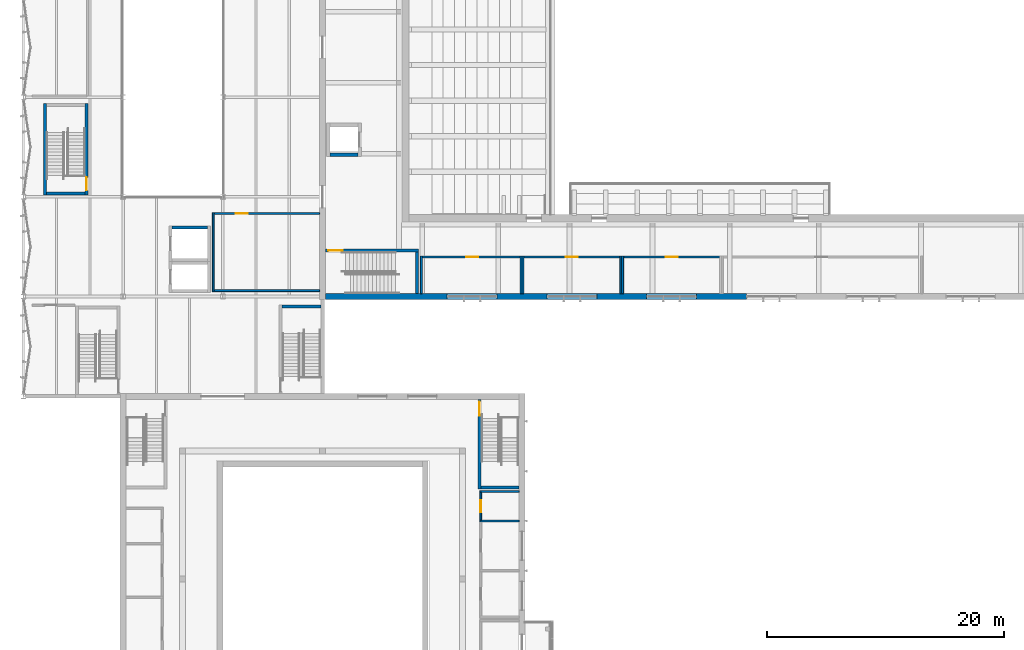
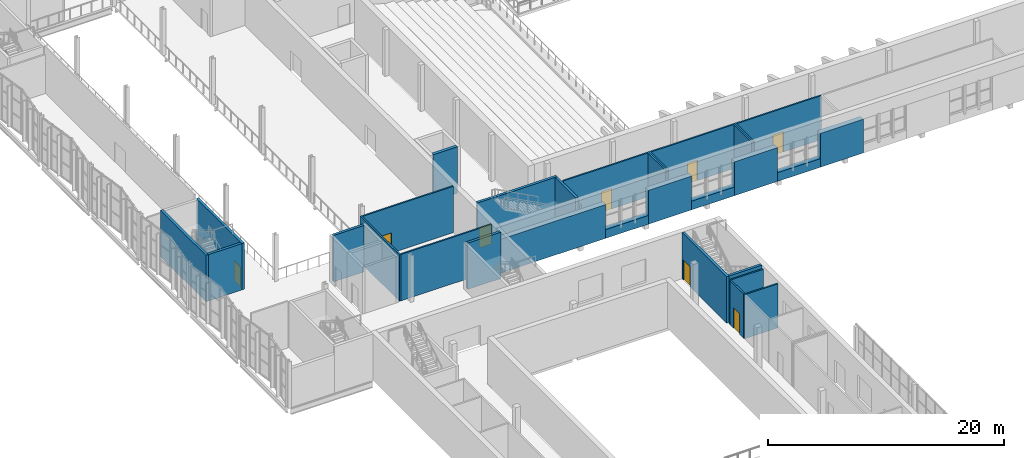
# One storey, part 72 of 127: 31 walls, 8 doors, 8 openings.
"""IFC4 building model written with IfcOpenShell, lengths in metres."""

from ifc_helpers import new_model, si_unit, direction, frame, frame_2d, origin, place, context, subcontext, project, spatial, rectangle, extrude, material, layer, layer_set, type_object, element, fill, save


model = new_model("IFC4")

# Units and contexts
model_context = context("Model", 3, precision=1e-05, world=origin(), true_north=direction((0.0, 1.0)))
body_context = subcontext(model_context, "Body", "Model", "MODEL_VIEW")
ifc_project = project(units=[si_unit("LENGTHUNIT", "METRE"), si_unit("AREAUNIT", "SQUARE_METRE"), si_unit("VOLUMEUNIT", "CUBIC_METRE"), si_unit("PLANEANGLEUNIT", "RADIAN"), si_unit("MASSUNIT", "GRAM", prefix="KILO")], contexts=[model_context])

# Site, building, storey
site_placement = place(None, origin())
site = spatial("IfcSite", under=ifc_project, at=site_placement, CompositionType="ELEMENT")
building_placement = place(site_placement, origin())
building = spatial("IfcBuilding", under=site, at=building_placement, Name="Ljudholm Concert House", CompositionType="ELEMENT")
storey_placement = place(building_placement, frame((0.0, 0.0, 5.39990234375)))
storey = spatial("IfcBuildingStorey", under=building, at=storey_placement, Name="L01", CompositionType="ELEMENT", Elevation=5.39990234375)

# Wall, opening, door
ifc_material_1 = material(Name="Gypsum board on steel studs", Category="steel")
ifc_layer_1 = layer(ifc_material_1, 0.14990234375)
ifc_layer_set_1 = layer_set([ifc_layer_1], Name="Gypsum board on steel studs")
wall_type_1 = type_object("IfcWallType", Name="GYPSUM PARTITION 150", PredefinedType="PARTITIONING", material=ifc_layer_set_1)
wall_1_placement = place(storey_placement, frame((37.60009765625, 57.72509765625, 0.0), z_axis=(0.0, 0.0, 1.0), x_axis=(1.0, 0.0, 0.0)))
wall_1 = element("IfcWall", 1, at=wall_1_placement, inside=storey, type_object=wall_type_1, Name="Women's WC partition", PredefinedType="PARTITIONING", context=body_context, shape_type="SweptSolid", body=[
    extrude(rectangle(XDim=8.39990234375, YDim=0.14990234375, at=frame_2d((4.199951171875, 0.0))), origin(), (0.0, 0.0, 1.0), 4.550048828125),
])
opening_1_placement = place(wall_1_placement, frame((3.699951171875, 0.0, 0.0)))
opening_1 = element("IfcOpeningElement", 2, at=opening_1_placement, cuts=wall_1, Name="Opening D-H01-003", PredefinedType="OPENING", context=body_context, shape_type="SweptSolid", body=[
    extrude(rectangle(XDim=1.0, YDim=2.10009765625, at=frame_2d((0.5, 1.050048828125))), frame((0.0, 0.0849609375, 0.0), z_axis=(0.0, -1.0, 0.0), x_axis=(1.0, 0.0, 0.0)), (0.0, 0.0, 1.0), 0.169921875),
])
ifc_material_2 = material(Name="Hollow metal door in steel frame", Category="steel")
door_type_1 = type_object("IfcDoorType", Name="SWING DOOR 1000x2100", OperationType="SINGLE_SWING_LEFT", PredefinedType="DOOR", material=ifc_material_2)
door_1_placement = place(opening_1_placement, frame((1.0, 0.0, 0.0), z_axis=(0.0, 0.0, 1.0), x_axis=(-1.0, 0.0, 0.0)))
door_1 = element("IfcDoor", 3, at=door_1_placement, inside=storey, type_object=door_type_1, Name="Women's WC door", OperationType="SINGLE_SWING_LEFT", OverallHeight=2.10009765625, OverallWidth=1.0, PredefinedType="DOOR", context=body_context, shape_type="SweptSolid", body=[
    extrude(rectangle(XDim=1.0, YDim=2.10009765625, at=frame_2d((0.5, 1.050048828125))), frame((0.0, 0.02490234375, 0.0), z_axis=(0.0, -1.0, 0.0), x_axis=(1.0, 0.0, 0.0)), (0.0, 0.0, 1.0), 0.050048828125),
])
fill(opening_1, door_1)

# Walls
wall_2_placement = place(storey_placement, frame((37.52490234375, 54.64990234375, 0.0), z_axis=(0.0, 0.0, 1.0), x_axis=(0.0, 1.0, 0.0)))
element("IfcWall", 4, at=wall_2_placement, inside=storey, type_object=wall_type_1, Name="Women's WC partition", PredefinedType="PARTITIONING", context=body_context, shape_type="SweptSolid", body=[
    extrude(rectangle(XDim=3.150146484375, YDim=0.14990234375, at=frame_2d((1.5751953125, 0.0))), origin(), (0.0, 0.0, 1.0), 3.9501953125),
])
wall_3_placement = place(storey_placement, frame((46.074951171875, 54.64990234375, 0.0), z_axis=(0.0, 0.0, 1.0), x_axis=(0.0, 1.0, 0.0)))
element("IfcWall", 5, at=wall_3_placement, inside=storey, type_object=wall_type_1, Name="Women's WC partition", PredefinedType="PARTITIONING", context=body_context, shape_type="SweptSolid", body=[
    extrude(rectangle(XDim=3.150146484375, YDim=0.14990234375, at=frame_2d((1.5751953125, 0.0))), origin(), (0.0, 0.0, 1.0), 4.550048828125),
])

# Wall, opening, door
wall_4_placement = place(storey_placement, frame((46.0, 57.72509765625, 0.0), z_axis=(0.0, 0.0, 1.0), x_axis=(1.0, 0.0, 0.0)))
wall_4 = element("IfcWall", 6, at=wall_4_placement, inside=storey, type_object=wall_type_1, Name="Men's WC partition", PredefinedType="PARTITIONING", context=body_context, shape_type="SweptSolid", body=[
    extrude(rectangle(XDim=8.39990234375, YDim=0.14990234375, at=frame_2d((4.199951171875, 0.0))), origin(), (0.0, 0.0, 1.0), 4.550048828125),
])
opening_2_placement = place(wall_4_placement, frame((3.699951171875, 0.0, 0.0)))
opening_2 = element("IfcOpeningElement", 7, at=opening_2_placement, cuts=wall_4, Name="Opening D-H01-004", PredefinedType="OPENING", context=body_context, shape_type="SweptSolid", body=[
    extrude(rectangle(XDim=1.0, YDim=2.10009765625, at=frame_2d((0.5, 1.050048828125))), frame((0.0, 0.0849609375, 0.0), z_axis=(0.0, -1.0, 0.0), x_axis=(1.0, 0.0, 0.0)), (0.0, 0.0, 1.0), 0.169921875),
])
door_2_placement = place(opening_2_placement, frame((1.0, 0.0, 0.0), z_axis=(0.0, 0.0, 1.0), x_axis=(-1.0, 0.0, 0.0)))
door_2 = element("IfcDoor", 8, at=door_2_placement, inside=storey, type_object=door_type_1, Name="Men's WC door", OperationType="SINGLE_SWING_RIGHT", OverallHeight=2.10009765625, OverallWidth=1.0, PredefinedType="DOOR", context=body_context, shape_type="SweptSolid", body=[
    extrude(rectangle(XDim=1.0, YDim=2.10009765625, at=frame_2d((0.5, 1.050048828125))), frame((0.0, 0.02490234375, 0.0), z_axis=(0.0, -1.0, 0.0), x_axis=(1.0, 0.0, 0.0)), (0.0, 0.0, 1.0), 0.050048828125),
])
fill(opening_2, door_2)

# Walls
for number, where, z_axis, x_axis, name in (
    (9, (45.925048828125, 54.64990234375, 0.0), (0.0, 0.0, 1.0), (0.0, 1.0, 0.0), "Men's WC partition"),
    (10, (54.47509765625, 54.64990234375, 0.0), (0.0, 0.0, 1.0), (0.0, 1.0, 0.0), "Men's WC partition"),
):
    element("IfcWall", number, at=place(storey_placement, frame(where, z_axis=z_axis, x_axis=x_axis)), inside=storey, type_object=wall_type_1, Name=name, PredefinedType="PARTITIONING", context=body_context, shape_type="SweptSolid", body=[
        extrude(rectangle(XDim=3.150146484375, YDim=0.14990234375, at=frame_2d((1.5751953125, 0.0))), origin(), (0.0, 0.0, 1.0), 4.550048828125),
    ])

# Wall, opening, door
wall_5_placement = place(storey_placement, frame((54.39990234375, 57.72509765625, 0.0), z_axis=(0.0, 0.0, 1.0), x_axis=(1.0, 0.0, 0.0)))
wall_5 = element("IfcWall", 11, at=wall_5_placement, inside=storey, type_object=wall_type_1, Name="Accessible WC partition", PredefinedType="PARTITIONING", context=body_context, shape_type="SweptSolid", body=[
    extrude(rectangle(XDim=8.400146484375, YDim=0.14990234375, at=frame_2d((4.2001953125, 0.0))), origin(), (0.0, 0.0, 1.0), 4.550048828125),
])
opening_3_placement = place(wall_5_placement, frame((3.699951171875, 0.0, 0.0)))
opening_3 = element("IfcOpeningElement", 12, at=opening_3_placement, cuts=wall_5, Name="Opening D-H01-005", PredefinedType="OPENING", context=body_context, shape_type="SweptSolid", body=[
    extrude(rectangle(XDim=1.0, YDim=2.10009765625, at=frame_2d((0.5, 1.050048828125))), frame((0.0, 0.0849609375, 0.0), z_axis=(0.0, -1.0, 0.0), x_axis=(1.0, 0.0, 0.0)), (0.0, 0.0, 1.0), 0.169921875),
])
door_3_placement = place(opening_3_placement, frame((1.0, 0.0, 0.0), z_axis=(0.0, 0.0, 1.0), x_axis=(-1.0, 0.0, 0.0)))
door_3 = element("IfcDoor", 13, at=door_3_placement, inside=storey, type_object=door_type_1, Name="Accessible WC door", OperationType="SINGLE_SWING_LEFT", OverallHeight=2.10009765625, OverallWidth=1.0, PredefinedType="DOOR", context=body_context, shape_type="SweptSolid", body=[
    extrude(rectangle(XDim=1.0, YDim=2.10009765625, at=frame_2d((0.5, 1.050048828125))), frame((0.0, 0.02490234375, 0.0), z_axis=(0.0, -1.0, 0.0), x_axis=(1.0, 0.0, 0.0)), (0.0, 0.0, 1.0), 0.050048828125),
])
fill(opening_3, door_3)

# Walls
wall_6_placement = place(storey_placement, frame((54.324951171875, 54.64990234375, 0.0), z_axis=(0.0, 0.0, 1.0), x_axis=(0.0, 1.0, 0.0)))
element("IfcWall", 14, at=wall_6_placement, inside=storey, type_object=wall_type_1, Name="Accessible WC partition", PredefinedType="PARTITIONING", context=body_context, shape_type="SweptSolid", body=[
    extrude(rectangle(XDim=3.150146484375, YDim=0.14990234375, at=frame_2d((1.5751953125, 0.0))), origin(), (0.0, 0.0, 1.0), 4.550048828125),
])
wall_7_placement = place(storey_placement, frame((42.449951171875, 35.5, 0.0), z_axis=(0.0, 0.0, 1.0), x_axis=(1.0, 0.0, 0.0)))
element("IfcWall", 15, at=wall_7_placement, inside=storey, type_object=wall_type_1, Name="Dressing Room 4 partition", PredefinedType="PARTITIONING", context=body_context, shape_type="SweptSolid", body=[
    extrude(rectangle(XDim=3.300048828125, YDim=0.14990234375, at=frame_2d((1.64990234375, 0.0))), origin(), (0.0, 0.0, 1.0), 4.550048828125),
])

# Wall, opening, door
wall_8_placement = place(storey_placement, frame((42.52490234375, 35.574951171875, 0.0), z_axis=(0.0, 0.0, 1.0), x_axis=(0.0, 1.0, 0.0)))
wall_8 = element("IfcWall", 16, at=wall_8_placement, inside=storey, type_object=wall_type_1, Name="Wardrobe partition", PredefinedType="PARTITIONING", context=body_context, shape_type="SweptSolid", body=[
    extrude(rectangle(XDim=2.324951171875, YDim=0.14990234375, at=frame_2d((1.16259765625, 0.0))), origin(), (0.0, 0.0, 1.0), 4.550048828125),
])
opening_4_placement = place(wall_8_placement, frame((0.66259765625, 0.0, 0.0)))
opening_4 = element("IfcOpeningElement", 17, at=opening_4_placement, cuts=wall_8, Name="Opening D-C01-012", PredefinedType="OPENING", context=body_context, shape_type="SweptSolid", body=[
    extrude(rectangle(XDim=1.0, YDim=2.10009765625, at=frame_2d((0.5, 1.050048828125))), frame((0.0, 0.0849609375, 0.0), z_axis=(0.0, -1.0, 0.0), x_axis=(1.0, 0.0, 0.0)), (0.0, 0.0, 1.0), 0.169921875),
])
door_4_placement = place(opening_4_placement, frame((1.0, 0.0, 0.0), z_axis=(0.0, 0.0, 1.0), x_axis=(-1.0, 0.0, 0.0)))
door_4 = element("IfcDoor", 18, at=door_4_placement, inside=storey, type_object=door_type_1, Name="Wardrobe door", OperationType="SINGLE_SWING_LEFT", OverallHeight=2.10009765625, OverallWidth=1.0, PredefinedType="DOOR", context=body_context, shape_type="SweptSolid", body=[
    extrude(rectangle(XDim=1.0, YDim=2.10009765625, at=frame_2d((0.5, 1.050048828125))), frame((0.0, 0.02490234375, 0.0), z_axis=(0.0, -1.0, 0.0), x_axis=(1.0, 0.0, 0.0)), (0.0, 0.0, 1.0), 0.050048828125),
])
fill(opening_4, door_4)

# Walls
wall_9_placement = place(storey_placement, frame((42.449951171875, 37.97509765625, 0.0), z_axis=(0.0, 0.0, 1.0), x_axis=(1.0, 0.0, 0.0)))
element("IfcWall", 19, at=wall_9_placement, inside=storey, type_object=wall_type_1, Name="Wardrobe partition", PredefinedType="PARTITIONING", context=body_context, shape_type="SweptSolid", body=[
    extrude(rectangle(XDim=3.300048828125, YDim=0.14990234375, at=frame_2d((1.64990234375, 0.0))), origin(), (0.0, 0.0, 1.0), 4.550048828125),
])
wall_10_placement = place(storey_placement, frame((20.0, 54.824951171875, 0.0), z_axis=(0.0, 0.0, 1.0), x_axis=(0.0, 1.0, 0.0)))
element("IfcWall", 20, at=wall_10_placement, inside=storey, type_object=wall_type_1, Name="Room wall", PredefinedType="PARTITIONING", context=body_context, shape_type="SweptSolid", body=[
    extrude(rectangle(XDim=6.650146484375, YDim=0.14990234375, at=frame_2d((3.3251953125, 0.0))), origin(), (0.0, 0.0, 1.0), 4.800048828125),
])
wall_11_placement = place(storey_placement, frame((20.074951171875, 54.89990234375, 0.0), z_axis=(0.0, 0.0, 1.0), x_axis=(1.0, 0.0, 0.0)))
element("IfcWall", 21, at=wall_11_placement, inside=storey, type_object=wall_type_1, Name="Room wall", PredefinedType="PARTITIONING", context=body_context, shape_type="SweptSolid", body=[
    extrude(rectangle(XDim=8.875, YDim=0.14990234375, at=frame_2d((4.4375, 0.0))), origin(), (0.0, 0.0, 1.0), 4.800048828125),
])

# Wall, opening, door
wall_12_placement = place(storey_placement, frame((20.074951171875, 61.39990234375, 0.0), z_axis=(0.0, 0.0, 1.0), x_axis=(1.0, 0.0, 0.0)))
wall_12 = element("IfcWall", 22, at=wall_12_placement, inside=storey, type_object=wall_type_1, Name="Room wall", PredefinedType="PARTITIONING", context=body_context, shape_type="SweptSolid", body=[
    extrude(rectangle(XDim=8.875, YDim=0.14990234375, at=frame_2d((4.4375, 0.0))), origin(), (0.0, 0.0, 1.0), 4.800048828125),
])
opening_5_placement = place(wall_12_placement, frame((1.824951171875, 0.0, 0.0)))
opening_5 = element("IfcOpeningElement", 23, at=opening_5_placement, cuts=wall_12, Name="Opening D-S01-011", PredefinedType="OPENING", context=body_context, shape_type="SweptSolid", body=[
    extrude(rectangle(XDim=1.0, YDim=2.10009765625, at=frame_2d((0.5, 1.050048828125))), frame((0.0, 0.0849609375, 0.0), z_axis=(0.0, -1.0, 0.0), x_axis=(1.0, 0.0, 0.0)), (0.0, 0.0, 1.0), 0.169921875),
])
door_5_placement = place(opening_5_placement, frame((1.0, 0.0, 0.0), z_axis=(0.0, 0.0, 1.0), x_axis=(-1.0, 0.0, 0.0)))
door_5 = element("IfcDoor", 24, at=door_5_placement, inside=storey, type_object=door_type_1, Name="Community Room door", OperationType="SINGLE_SWING_LEFT", OverallHeight=2.10009765625, OverallWidth=1.0, PredefinedType="DOOR", context=body_context, shape_type="SweptSolid", body=[
    extrude(rectangle(XDim=1.0, YDim=2.10009765625, at=frame_2d((0.5, 1.050048828125))), frame((0.0, 0.02490234375, 0.0), z_axis=(0.0, -1.0, 0.0), x_axis=(1.0, 0.0, 0.0)), (0.0, 0.0, 1.0), 0.050048828125),
])
fill(opening_5, door_5)

# Walls
ifc_material_3 = material(Name="Concrete 6,500 psi", Category="concrete")
ifc_layer_2 = layer(ifc_material_3, 0.25)
ifc_layer_set_2 = layer_set([ifc_layer_2], Name="Concrete 6,500 psi")
wall_type_2 = type_object("IfcWallType", Name="RC CORE WALL 250", PredefinedType="SHEAR", material=ifc_layer_set_2)
wall_13_placement = place(storey_placement, frame((25.800048828125, 53.574951171875, 0.0), z_axis=(0.0, 0.0, 1.0), x_axis=(1.0, 0.0, 0.0)))
element("IfcWall", 25, at=wall_13_placement, inside=storey, type_object=wall_type_2, Name="Stair enclosure wall", PredefinedType="SHEAR", context=body_context, shape_type="SweptSolid", body=[
    extrude(rectangle(XDim=3.25, YDim=0.25, at=frame_2d((1.625, 0.0))), origin(), (0.0, 0.0, 1.0), 4.800048828125),
])
wall_14_placement = place(storey_placement, frame((5.824951171875, 62.949951171875, 0.0), z_axis=(0.0, 0.0, 1.0), x_axis=(0.0, 1.0, 0.0)))
element("IfcWall", 26, at=wall_14_placement, inside=storey, type_object=wall_type_2, Name="Stair enclosure wall", PredefinedType="SHEAR", context=body_context, shape_type="SweptSolid", body=[
    extrude(rectangle(XDim=7.699951171875, YDim=0.25, at=frame_2d((3.85009765625, 0.0))), origin(), (0.0, 0.0, 1.0), 4.800048828125),
])

# Wall, opening, door
wall_15_placement = place(storey_placement, frame((9.324951171875, 62.949951171875, 0.0), z_axis=(0.0, 0.0, 1.0), x_axis=(0.0, 1.0, 0.0)))
wall_15 = element("IfcWall", 27, at=wall_15_placement, inside=storey, type_object=wall_type_2, Name="Stair enclosure wall", PredefinedType="SHEAR", context=body_context, shape_type="SweptSolid", body=[
    extrude(rectangle(XDim=7.699951171875, YDim=0.25, at=frame_2d((3.85009765625, 0.0))), origin(), (0.0, 0.0, 1.0), 4.800048828125),
])
opening_6_placement = place(wall_15_placement, frame((0.39990234375, 0.0, 0.0)))
opening_6 = element("IfcOpeningElement", 28, at=opening_6_placement, cuts=wall_15, Name="Opening D-S01-005", PredefinedType="OPENING", context=body_context, shape_type="SweptSolid", body=[
    extrude(rectangle(XDim=1.10009765625, YDim=2.10009765625, at=frame_2d((0.550048828125, 1.050048828125))), frame((0.0, 0.135009765625, 0.0), z_axis=(0.0, -1.0, 0.0), x_axis=(1.0, 0.0, 0.0)), (0.0, 0.0, 1.0), 0.27001953125),
])
ifc_material_4 = material(Name="Hollow metal door in steel frame", Category="steel")
door_type_2 = type_object("IfcDoorType", Name="SWING DOOR 1100x2100", OperationType="SINGLE_SWING_LEFT", PredefinedType="DOOR", material=ifc_material_4)
door_6_placement = place(opening_6_placement, origin())
door_6 = element("IfcDoor", 29, at=door_6_placement, inside=storey, type_object=door_type_2, Name="Stair door", OperationType="SINGLE_SWING_LEFT", OverallHeight=2.10009765625, OverallWidth=1.10009765625, PredefinedType="DOOR", context=body_context, shape_type="SweptSolid", body=[
    extrude(rectangle(XDim=1.10009765625, YDim=2.10009765625, at=frame_2d((0.550048828125, 1.050048828125))), frame((0.0, 0.02490234375, 0.0), z_axis=(0.0, -1.0, 0.0), x_axis=(1.0, 0.0, 0.0)), (0.0, 0.0, 1.0), 0.050048828125),
])
fill(opening_6, door_6)

# Wall
wall_16_placement = place(storey_placement, frame((5.949951171875, 63.074951171875, 0.0), z_axis=(0.0, 0.0, 1.0), x_axis=(1.0, 0.0, 0.0)))
element("IfcWall", 30, at=wall_16_placement, inside=storey, type_object=wall_type_2, Name="Stair enclosure wall", PredefinedType="SHEAR", context=body_context, shape_type="SweptSolid", body=[
    extrude(rectangle(XDim=3.25, YDim=0.25, at=frame_2d((1.625, 0.0))), origin(), (0.0, 0.0, 1.0), 4.800048828125),
])

# Wall, opening, door
ifc_material_5 = material(Name="Concrete 6,500 psi", Category="concrete")
ifc_layer_3 = layer(ifc_material_5, 0.25)
ifc_layer_set_3 = layer_set([ifc_layer_3], Name="Concrete 6,500 psi")
wall_type_3 = type_object("IfcWallType", Name="RC WALL 250", PredefinedType="SOLIDWALL", material=ifc_layer_set_3)
wall_17_placement = place(storey_placement, frame((29.449951171875, 58.27490234375, 0.0), z_axis=(0.0, 0.0, 1.0), x_axis=(1.0, 0.0, 0.0)))
wall_17 = element("IfcWall", 31, at=wall_17_placement, inside=storey, type_object=wall_type_3, Name="Stair enclosure wall EH1", PredefinedType="SOLIDWALL", context=body_context, shape_type="SweptSolid", body=[
    extrude(rectangle(XDim=7.85009765625, YDim=0.25, at=frame_2d((3.925048828125, 0.0))), origin(), (0.0, 0.0, 1.0), 4.800048828125),
])
opening_7_placement = place(wall_17_placement, frame((0.25, 0.0, 0.0)))
opening_7 = element("IfcOpeningElement", 32, at=opening_7_placement, cuts=wall_17, Name="Opening D-H01-009", PredefinedType="OPENING", context=body_context, shape_type="SweptSolid", body=[
    extrude(rectangle(XDim=1.199951171875, YDim=2.10009765625, at=frame_2d((0.60009765625, 1.050048828125))), frame((0.0, 0.135009765625, 0.0), z_axis=(0.0, -1.0, 0.0), x_axis=(1.0, 0.0, 0.0)), (0.0, 0.0, 1.0), 0.27001953125),
])
ifc_material_6 = material(Name="Hollow metal door in steel frame", Category="steel")
door_type_3 = type_object("IfcDoorType", Name="SWING DOOR 1200x2100", OperationType="SINGLE_SWING_LEFT", PredefinedType="DOOR", material=ifc_material_6)
door_7_placement = place(opening_7_placement, frame((1.199951171875, 0.0, 0.0), z_axis=(0.0, 0.0, 1.0), x_axis=(-1.0, 0.0, 0.0)))
door_7 = element("IfcDoor", 33, at=door_7_placement, inside=storey, type_object=door_type_3, Name="Exit stair EH1 door", OperationType="SINGLE_SWING_RIGHT", OverallHeight=2.10009765625, OverallWidth=1.199951171875, PredefinedType="DOOR", context=body_context, shape_type="SweptSolid", body=[
    extrude(rectangle(XDim=1.199951171875, YDim=2.10009765625, at=frame_2d((0.60009765625, 1.050048828125))), frame((0.0, 0.02490234375, 0.0), z_axis=(0.0, -1.0, 0.0), x_axis=(1.0, 0.0, 0.0)), (0.0, 0.0, 1.0), 0.050048828125),
])
fill(opening_7, door_7)

# Wall
wall_18_placement = place(storey_placement, frame((37.175048828125, 54.64990234375, 0.0), z_axis=(0.0, 0.0, 1.0), x_axis=(0.0, 1.0, 0.0)))
element("IfcWall", 34, at=wall_18_placement, inside=storey, type_object=wall_type_3, Name="Stair enclosure wall EH1", PredefinedType="SOLIDWALL", context=body_context, shape_type="SweptSolid", body=[
    extrude(rectangle(XDim=3.5, YDim=0.25, at=frame_2d((1.75, 0.0))), origin(), (0.0, 0.0, 1.0), 4.800048828125),
])

# Wall, opening, door
wall_19_placement = place(storey_placement, frame((42.425048828125, 38.179931640625, 0.0), z_axis=(0.0, 0.0, 1.0), x_axis=(0.0, 1.0, 0.0)))
wall_19 = element("IfcWall", 35, at=wall_19_placement, inside=storey, type_object=wall_type_3, Name="Stair enclosure wall EC3", PredefinedType="SOLIDWALL", context=body_context, shape_type="SweptSolid", body=[
    extrude(rectangle(XDim=7.570068359375, YDim=0.25, at=frame_2d((3.78515625, 0.0))), origin(), (0.0, 0.0, 1.0), 4.800048828125),
])
opening_8_placement = place(wall_19_placement, frame((6.169921875, 0.0, 0.0)))
opening_8 = element("IfcOpeningElement", 36, at=opening_8_placement, cuts=wall_19, Name="Opening D-C01-015", PredefinedType="OPENING", context=body_context, shape_type="SweptSolid", body=[
    extrude(rectangle(XDim=1.199951171875, YDim=2.10009765625, at=frame_2d((0.60009765625, 1.050048828125))), frame((0.0, 0.135009765625, 0.0), z_axis=(0.0, -1.0, 0.0), x_axis=(1.0, 0.0, 0.0)), (0.0, 0.0, 1.0), 0.27001953125),
])
door_8_placement = place(opening_8_placement, frame((1.199951171875, 0.0, 0.0), z_axis=(0.0, 0.0, 1.0), x_axis=(-1.0, 0.0, 0.0)))
door_8 = element("IfcDoor", 37, at=door_8_placement, inside=storey, type_object=door_type_3, Name="Exit stair EC3 door", OperationType="SINGLE_SWING_LEFT", OverallHeight=2.10009765625, OverallWidth=1.199951171875, PredefinedType="DOOR", context=body_context, shape_type="SweptSolid", body=[
    extrude(rectangle(XDim=1.199951171875, YDim=2.10009765625, at=frame_2d((0.60009765625, 1.050048828125))), frame((0.0, 0.02490234375, 0.0), z_axis=(0.0, -1.0, 0.0), x_axis=(1.0, 0.0, 0.0)), (0.0, 0.0, 1.0), 0.050048828125),
])
fill(opening_8, door_8)

# Walls
wall_20_placement = place(storey_placement, frame((42.550048828125, 38.304931640625, 0.0), z_axis=(0.0, 0.0, 1.0), x_axis=(1.0, 0.0, 0.0)))
element("IfcWall", 38, at=wall_20_placement, inside=storey, type_object=wall_type_3, Name="Stair enclosure wall EC3", PredefinedType="SOLIDWALL", context=body_context, shape_type="SweptSolid", body=[
    extrude(rectangle(XDim=3.199951171875, YDim=0.25, at=frame_2d((1.60009765625, 0.0))), origin(), (0.0, 0.0, 1.0), 4.800048828125),
])
wall_21_placement = place(storey_placement, frame((16.52490234375, 60.22509765625, 0.0), z_axis=(0.0, 0.0, 1.0), x_axis=(1.0, 0.0, 0.0)))
element("IfcWall", 39, at=wall_21_placement, inside=storey, type_object=wall_type_3, Name="Lift shaft wall", PredefinedType="SOLIDWALL", context=body_context, shape_type="SweptSolid", body=[
    extrude(rectangle(XDim=3.0, YDim=0.25, at=frame_2d((1.5, 0.0))), origin(), (0.0, 0.0, 1.0), 4.800048828125),
])
ifc_material_7 = material(Name="Concrete 6,500 psi", Category="concrete")
ifc_layer_4 = layer(ifc_material_7, 0.300048828125)
ifc_layer_set_4 = layer_set([ifc_layer_4], Name="Concrete 6,500 psi")
wall_type_4 = type_object("IfcWallType", Name="RC WALL 300", PredefinedType="SOLIDWALL", material=ifc_layer_set_4)
wall_22_placement = place(storey_placement, frame((29.824951171875, 66.35009765625, 0.0), z_axis=(0.0, 0.0, 1.0), x_axis=(1.0, 0.0, 0.0)))
element("IfcWall", 40, at=wall_22_placement, inside=storey, type_object=wall_type_4, Name="Lift shaft wall", PredefinedType="SOLIDWALL", context=body_context, shape_type="SweptSolid", body=[
    extrude(rectangle(XDim=2.35009765625, YDim=0.300048828125, at=frame_2d((1.175048828125, 0.0))), origin(), (0.0, 0.0, 1.0), 4.800048828125),
])
ifc_material_8 = material(Name="Concrete 6,500 psi", Category="concrete")
ifc_layer_5 = layer(ifc_material_8, 0.5)
ifc_layer_set_5 = layer_set([ifc_layer_5], Name="Concrete 6,500 psi")
wall_type_5 = type_object("IfcWallType", Name="RC WALL 500", PredefinedType="SOLIDWALL", material=ifc_layer_set_5)
wall_23_placement = place(storey_placement, frame((29.449951171875, 54.39990234375, 0.0), z_axis=(0.0, 0.0, 1.0), x_axis=(1.0, 0.0, 0.0)))
element("IfcWall", 41, at=wall_23_placement, inside=storey, type_object=wall_type_5, Name="Outer wall S", PredefinedType="SOLIDWALL", context=body_context, shape_type="SweptSolid", body=[
    extrude(rectangle(XDim=10.25, YDim=0.5, at=frame_2d((5.125, 0.0))), origin(), (0.0, 0.0, 1.0), 3.5),
])
wall_24_placement = place(storey_placement, frame((43.89990234375, 54.39990234375, 0.0), z_axis=(0.0, 0.0, 1.0), x_axis=(1.0, 0.0, 0.0)))
element("IfcWall", 42, at=wall_24_placement, inside=storey, type_object=wall_type_5, Name="Outer wall S", PredefinedType="SOLIDWALL", context=body_context, shape_type="SweptSolid", body=[
    extrude(rectangle(XDim=4.2001953125, YDim=0.5, at=frame_2d((2.10009765625, 0.0))), origin(), (0.0, 0.0, 1.0), 3.5),
])
for number, where, z_axis, x_axis, name in (
    (43, (52.300048828125, 54.39990234375, 0.0), (0.0, 0.0, 1.0), (1.0, 0.0, 0.0), "Outer wall S"),
    (44, (60.699951171875, 54.39990234375, 0.0), (0.0, 0.0, 1.0), (1.0, 0.0, 0.0), "Outer wall S"),
):
    element("IfcWall", number, at=place(storey_placement, frame(where, z_axis=z_axis, x_axis=x_axis)), inside=storey, type_object=wall_type_5, Name=name, PredefinedType="SOLIDWALL", context=body_context, shape_type="SweptSolid", body=[
        extrude(rectangle(XDim=4.199951171875, YDim=0.5, at=frame_2d((2.10009765625, 0.0))), origin(), (0.0, 0.0, 1.0), 3.5),
    ])
for number, where, z_axis, x_axis, name in (
    (45, (39.699951171875, 54.39990234375, 0.0), (0.0, 0.0, 1.0), (1.0, 0.0, 0.0), "Outer wall S"),
    (46, (48.10009765625, 54.39990234375, 0.0), (0.0, 0.0, 1.0), (1.0, 0.0, 0.0), "Outer wall S"),
    (47, (56.5, 54.39990234375, 0.0), (0.0, 0.0, 1.0), (1.0, 0.0, 0.0), "Outer wall S"),
):
    element("IfcWall", number, at=place(storey_placement, frame(where, z_axis=z_axis, x_axis=x_axis)), inside=storey, type_object=wall_type_5, Name=name, PredefinedType="SOLIDWALL", context=body_context, shape_type="SweptSolid", body=[
        extrude(rectangle(XDim=4.199951171875, YDim=0.5, at=frame_2d((2.10009765625, 0.0))), origin(), (0.0, 0.0, 1.0), 0.900146484375),
    ])

save(model, "model.ifc")
